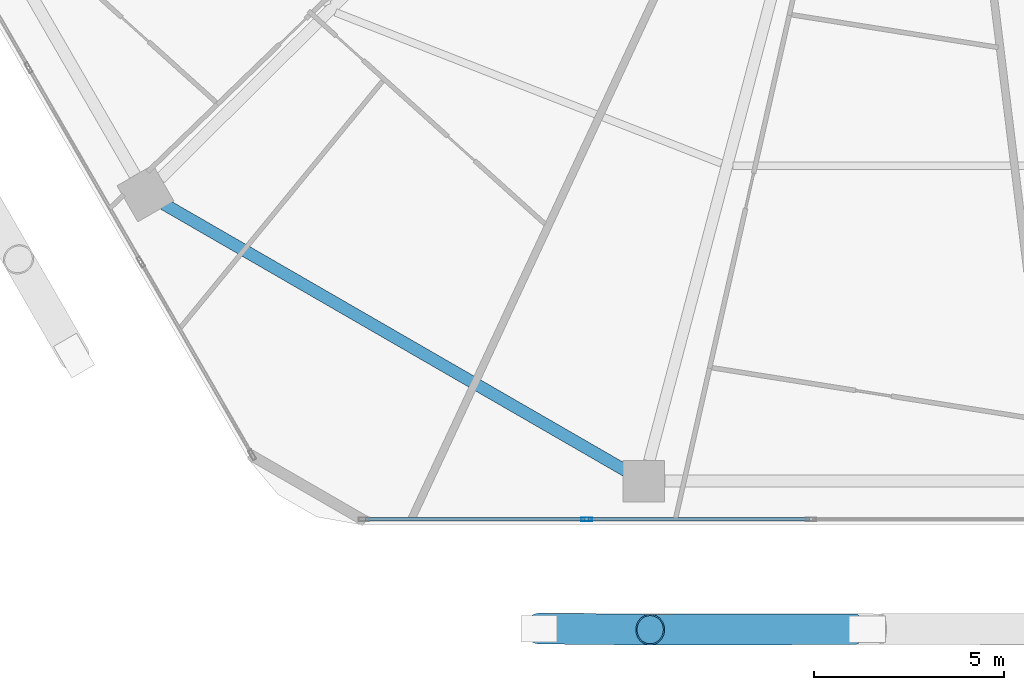
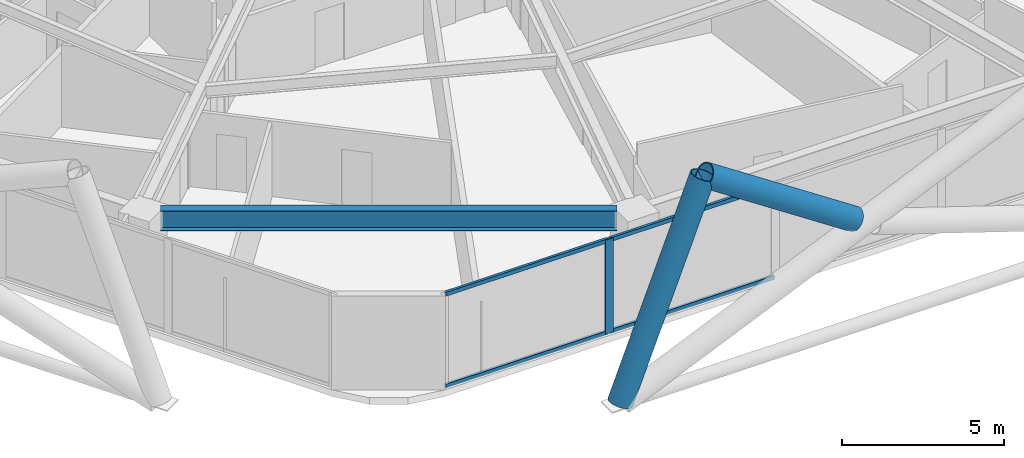
# One storey, part 3 of 36: 7 members, 1 beam, 1 element without a shape of its own.
"""IFC4 building model written with IfcOpenShell, lengths in metres."""

import ifcopenshell
import ifcopenshell.guid

model = None  # the IFC model being written
_history = None  # IfcOwnerHistory: only IFC2X3 demands one
_inside = {}  # id of a spatial element -> (the spatial element, [elements in it])
_under = {}  # id of a project, library or spatial element -> (it, [spatial elements below it])
_declared = {}  # id of a project -> (the project, [libraries it declares])
_typed = {}  # id of a type object -> (the type object, [elements of that type])
_made_of = {}  # id of a material, layer set ... -> (it, [elements and type objects made of it])


def new_model(schema):
    """Start an empty IFC model of exactly this schema.

    Asked for "IFC4X3", IfcOpenShell would pick the latest addendum, in which some entities
    have other attributes; the version numbers below select the first issue.
    IFC2X3 requires an IfcOwnerHistory on every rooted entity: one is made here for all.
    """
    global model, _history
    if schema == "IFC4X3":
        model = ifcopenshell.file(schema_version=(4, 3, 0, 0))
    else:
        model = ifcopenshell.file(schema=schema)
    _inside.clear()
    _under.clear()
    _declared.clear()
    _typed.clear()
    _made_of.clear()
    _history = None
    if model.schema == "IFC2X3":
        org = make("IfcOrganization", Name="unknown")
        user = make(
            "IfcPersonAndOrganization",
            ThePerson=make("IfcPerson", FamilyName="unknown"),
            TheOrganization=org,
        )
        app = make(
            "IfcApplication",
            ApplicationDeveloper=org,
            Version="unknown",
            ApplicationFullName="unknown",
            ApplicationIdentifier="unknown",
        )
        _history = make(
            "IfcOwnerHistory",
            OwningUser=user,
            OwningApplication=app,
            ChangeAction="ADDED",
            CreationDate=0,
        )
    return model


def make(cls, **values):
    """One entity of the class cls with the attributes given. An attribute that is None is left unset."""
    return model.create_entity(
        cls, **{name: value for name, value in values.items() if value is not None}
    )


def rooted(cls, **values):
    """An entity with a GlobalId (a new one), such as an element, a storey or a relation."""
    return make(cls, GlobalId=ifcopenshell.guid.new(), OwnerHistory=_history, **values)


def si_unit(unit_type, name, prefix=None):
    """IfcSIUnit, for example si_unit("LENGTHUNIT", "METRE", prefix="MILLI")."""
    return make("IfcSIUnit", UnitType=unit_type, Prefix=prefix, Name=name)


def assignment(units):
    """IfcUnitAssignment: the units of a project."""
    return None if units is None else make("IfcUnitAssignment", Units=units)


def point(xyz):
    """IfcCartesianPoint."""
    return None if xyz is None else make("IfcCartesianPoint", Coordinates=xyz)


def direction(xyz):
    """IfcDirection."""
    return None if xyz is None else make("IfcDirection", DirectionRatios=xyz)


def frame(location, z_axis=None, x_axis=None):
    """IfcAxis2Placement3D, a coordinate frame: its origin and axes. An axis left out is left unset."""
    return make(
        "IfcAxis2Placement3D",
        Location=point(location),
        Axis=direction(z_axis),
        RefDirection=direction(x_axis),
    )


def frame_2d(location, x_axis=None):
    """IfcAxis2Placement2D, a coordinate frame in the plane: its origin and x axis."""
    return make(
        "IfcAxis2Placement2D", Location=point(location), RefDirection=direction(x_axis)
    )


def origin():
    """The frame at (0, 0, 0) with its axes left unset."""
    return frame((0.0, 0.0, 0.0))


def origin_2d():
    """The frame at (0, 0) in the plane with its x axis left unset."""
    return frame_2d((0.0, 0.0))


def place(relative_to, where):
    """IfcLocalPlacement: puts the frame where relative to a parent placement (None: the world)."""
    return make(
        "IfcLocalPlacement", PlacementRelTo=relative_to, RelativePlacement=where
    )


def context(
    kind, dimensions, precision=None, world=None, true_north=None, identifier=None
):
    """IfcGeometricRepresentationContext, for example the 3D "Model" context."""
    return make(
        "IfcGeometricRepresentationContext",
        ContextIdentifier=identifier,
        ContextType=kind,
        CoordinateSpaceDimension=dimensions,
        Precision=precision,
        WorldCoordinateSystem=world,
        TrueNorth=true_north,
    )


def subcontext(parent, identifier, kind, view, scale=None):
    """IfcGeometricRepresentationSubContext, for example "Body" below "Model"."""
    return make(
        "IfcGeometricRepresentationSubContext",
        ContextIdentifier=identifier,
        ContextType=kind,
        ParentContext=parent,
        TargetScale=scale,
        TargetView=view,
    )


def project(units=None, contexts=None):
    """IfcProject with its units and contexts."""
    return rooted(
        "IfcProject",
        Name="project",
        RepresentationContexts=contexts,
        UnitsInContext=assignment(units),
    )


def spatial(cls, under=None, at=None, **own):
    """A site, building, storey or space (cls), placed at a placement, below another one or the project."""
    s = rooted(cls, ObjectPlacement=at, **own)
    if under is not None:
        _under.setdefault(under.id(), (under, []))[1].append(s)
    return s


def profile(cls, at=None, kind="AREA", **sizes):
    """A parametric profile (cls). Its sizes go by their IFC names, for example OverallWidth=200.0."""
    return make(cls, ProfileType=kind, Position=at, **sizes)


def hollow_rectangle(**sizes):
    """IfcRectangleHollowProfileDef."""
    return profile("IfcRectangleHollowProfileDef", **sizes)


def hollow_circle(**sizes):
    """IfcCircleHollowProfileDef."""
    return profile("IfcCircleHollowProfileDef", **sizes)


def i_section(**sizes):
    """IfcIShapeProfileDef."""
    return profile("IfcIShapeProfileDef", **sizes)


def extrude(swept, where, along, depth):
    """IfcExtrudedAreaSolid: the profile swept, set in the frame where, extruded along a direction by depth."""
    return make(
        "IfcExtrudedAreaSolid",
        SweptArea=swept,
        Position=where,
        ExtrudedDirection=direction(along),
        Depth=depth,
    )


def shape(context_of_items, identifier, shape_type, items):
    """IfcShapeRepresentation: the items that make up one representation, for example the "Body"."""
    return make(
        "IfcShapeRepresentation",
        ContextOfItems=context_of_items,
        RepresentationIdentifier=identifier,
        RepresentationType=shape_type,
        Items=items,
    )


def material(Name=None, Category=None):
    """IfcMaterial."""
    return make("IfcMaterial", Name=Name, Category=Category)


def material_profile(
    of_material, cross_section, Name=None, Category=None, Priority=None
):
    """IfcMaterialProfile: a cross section and its material."""
    return make(
        "IfcMaterialProfile",
        Name=Name,
        Material=of_material,
        Profile=cross_section,
        Priority=Priority,
        Category=Category,
    )


def profile_set(profiles, Name=None, composite=None):
    """IfcMaterialProfileSet."""
    return make(
        "IfcMaterialProfileSet",
        Name=Name,
        MaterialProfiles=profiles,
        CompositeProfile=composite,
    )


def made_of(thing, what):
    """Note that an element or type object is made of a material, layer set ...; save() writes the relation."""
    if what is not None:
        _made_of.setdefault(what.id(), (what, []))[1].append(thing)
    return thing


def type_object(cls, material=None, **own):
    """A type object (cls), such as IfcWallType, which elements share."""
    return made_of(rooted(cls, **own), material)


def element(
    cls,
    number,
    at=None,
    inside=None,
    cuts=None,
    type_object=None,
    material=None,
    context=None,
    identifier="Body",
    shape_type=None,
    held_by="IfcProductDefinitionShape",
    body=None,
    shapes=None,
    **own,
):
    """One element of the class cls, such as IfcWall. Its Tag is "e" and its number.

    at: its placement. inside: the storey or other place that contains it. cuts: it is an
    opening in that element (IfcRelVoidsElement). A single representation is given by context,
    identifier, shape_type and body (its items); several are given by shapes. held_by: the class
    of the entity that holds the representations. save() writes the other relations.
    """
    e = rooted(cls, Tag="e%d" % number, ObjectPlacement=at, **own)
    if body is not None:
        shapes = [shape(context, identifier, shape_type, body)]
    if shapes is not None:
        e.Representation = make(held_by, Representations=shapes)
    if inside is not None:
        _inside.setdefault(inside.id(), (inside, []))[1].append(e)
    if cuts is not None:
        rooted(
            "IfcRelVoidsElement", RelatingBuildingElement=cuts, RelatedOpeningElement=e
        )
    if type_object is not None:
        _typed.setdefault(type_object.id(), (type_object, []))[1].append(e)
    return made_of(e, material)


def aggregate(whole, parts):
    """IfcRelAggregates: a whole, such as a stair, and the parts it consists of."""
    return rooted("IfcRelAggregates", RelatingObject=whole, RelatedObjects=parts)


def save(model, path):
    """Write the relations noted so far, then the file.

    IfcRelAggregates (storeys below a building ...), IfcRelContainedInSpatialStructure (elements
    in a storey), IfcRelDefinesByType, IfcRelAssociatesMaterial and IfcRelDeclares: one each for
    every whole, place, type object, material and project.
    """
    for whole, parts in _under.values():
        aggregate(whole, parts)
    for where, things in _inside.values():
        rooted(
            "IfcRelContainedInSpatialStructure",
            RelatedElements=things,
            RelatingStructure=where,
        )
    for kind, things in _typed.values():
        rooted("IfcRelDefinesByType", RelatedObjects=things, RelatingType=kind)
    for what, things in _made_of.values():
        rooted("IfcRelAssociatesMaterial", RelatedObjects=things, RelatingMaterial=what)
    for by, libraries in _declared.values():
        rooted("IfcRelDeclares", RelatingContext=by, RelatedDefinitions=libraries)
    model.write(path)


model = new_model("IFC4")

# Units and contexts
model_context = context("Model", 3, precision=1e-05, world=origin(), true_north=direction((0.0, 1.0)))
body_context = subcontext(model_context, "Body", "Model", "MODEL_VIEW")
ifc_project = project(units=[si_unit("LENGTHUNIT", "METRE"), si_unit("AREAUNIT", "SQUARE_METRE"), si_unit("VOLUMEUNIT", "CUBIC_METRE"), si_unit("PLANEANGLEUNIT", "RADIAN"), si_unit("MASSUNIT", "GRAM", prefix="KILO")], contexts=[model_context])

# Site, building, storey
site_placement = place(None, origin())
site = spatial("IfcSite", under=ifc_project, at=site_placement, CompositionType="ELEMENT")
building_placement = place(site_placement, origin())
building = spatial("IfcBuilding", under=site, at=building_placement, Name="Zuhravey Tower", CompositionType="ELEMENT")
storey_placement = place(building_placement, frame((0.0, 0.0, 107.60009765625)))
storey = spatial("IfcBuildingStorey", under=building, at=storey_placement, Name="L26", CompositionType="ELEMENT", Elevation=107.60009765625)

# Curtain wall, members
ifc_material_1 = material(Name="Thermally broken anodised aluminium", Category="aluminium")
curtain_wall_type = type_object("IfcCurtainWallType", Name="Zone 1-2 Residential Curtain Wall CW3", PredefinedType="NOTDEFINED", material=ifc_material_1)
curtain_wall_placement = place(storey_placement, origin())
curtain_wall = element("IfcCurtainWall", 1, at=curtain_wall_placement, inside=storey, type_object=curtain_wall_type, Name="L26 CW3 CW-L26-F5-1", PredefinedType="NOTDEFINED")
ifc_material_2 = material(Name="Anodised aluminium", Category="aluminium")
ifc_material_profile_1 = material_profile(ifc_material_2, hollow_rectangle(XDim=0.090087890625, YDim=0.284912109375, WallThickness=0.0048828125, at=origin_2d()), Name="ALU-RHS-90x285x5")
ifc_profile_set_1 = profile_set([ifc_material_profile_1], Name="Anodised aluminium")
member_type_1 = type_object("IfcMemberType", Name="Curtain-Wall Mullion 90x180", PredefinedType="MULLION", material=ifc_profile_set_1)
member_1_placement = place(storey_placement, frame((27.120361328125, 3.04150390625, 0.0), z_axis=(0.0, 0.0, 1.0), x_axis=(0.0, -1.0, 0.0)))
member_1 = element("IfcMember", 2, at=member_1_placement, type_object=member_type_1, Name="CW3 mullion 5", PredefinedType="MULLION", context=body_context, shape_type="SweptSolid", body=[
    extrude(hollow_rectangle(XDim=0.090087890625, YDim=0.284912109375, WallThickness=0.0048828125, at=origin_2d()), origin(), (0.0, 0.0, 1.0), 3.5498046875),
])
ifc_material_profile_2 = material_profile(ifc_material_2, hollow_rectangle(XDim=0.090087890625, YDim=0.14990234375, WallThickness=0.0048828125, at=origin_2d()), Name="ALU-RHS-90x150x5")
ifc_profile_set_2 = profile_set([ifc_material_profile_2], Name="Anodised aluminium")
member_type_2 = type_object("IfcMemberType", Name="Curtain-Wall Transom 90x150", PredefinedType="USERDEFINED", material=ifc_profile_set_2)
member_2_placement = place(storey_placement, frame((32.9951171875, 3.04150390625, 0.044921875), z_axis=(-1.0, 0.0, 0.0), x_axis=(0.0, -1.0, 0.0)))
member_2 = element("IfcMember", 3, at=member_2_placement, type_object=member_type_2, Name="CW3 transom 4.1", ObjectType="TRANSOM", PredefinedType="USERDEFINED", context=body_context, shape_type="SweptSolid", body=[
    extrude(hollow_rectangle(XDim=0.090087890625, YDim=0.14990234375, WallThickness=0.0048828125, at=origin_2d()), origin(), (0.0, 0.0, 1.0), 5.829833984375),
])
member_3_placement = place(storey_placement, frame((32.9951171875, 3.04150390625, 3.5048828125), z_axis=(-1.0, 0.0, 0.0), x_axis=(0.0, -1.0, 0.0)))
member_3 = element("IfcMember", 4, at=member_3_placement, type_object=member_type_2, Name="CW3 transom 4.2", ObjectType="TRANSOM", PredefinedType="USERDEFINED", context=body_context, shape_type="SweptSolid", body=[
    extrude(hollow_rectangle(XDim=0.090087890625, YDim=0.14990234375, WallThickness=0.0048828125, at=origin_2d()), origin(), (0.0, 0.0, 1.0), 5.829833984375),
])
member_4_placement = place(storey_placement, frame((27.0751953125, 3.04150390625, 0.044921875), z_axis=(-1.0, 0.0, 0.0), x_axis=(0.0, -1.0, 0.0)))
member_4 = element("IfcMember", 5, at=member_4_placement, type_object=member_type_2, Name="CW3 transom 5.1", ObjectType="TRANSOM", PredefinedType="USERDEFINED", context=body_context, shape_type="SweptSolid", body=[
    extrude(hollow_rectangle(XDim=0.090087890625, YDim=0.14990234375, WallThickness=0.0048828125, at=origin_2d()), origin(), (0.0, 0.0, 1.0), 5.78466796875),
])
member_5_placement = place(storey_placement, frame((27.0751953125, 3.04150390625, 3.5048828125), z_axis=(-1.0, 0.0, 0.0), x_axis=(0.0, -1.0, 0.0)))
member_5 = element("IfcMember", 6, at=member_5_placement, type_object=member_type_2, Name="CW3 transom 5.2", ObjectType="TRANSOM", PredefinedType="USERDEFINED", context=body_context, shape_type="SweptSolid", body=[
    extrude(hollow_rectangle(XDim=0.090087890625, YDim=0.14990234375, WallThickness=0.0048828125, at=origin_2d()), origin(), (0.0, 0.0, 1.0), 5.78466796875),
])
aggregate(curtain_wall, [member_1, member_2, member_3, member_4, member_5])

# Members
ifc_material_3 = material(Name="Steel SM460", Category="steel")
ifc_material_profile_3 = material_profile(ifc_material_3, hollow_circle(Radius=0.406494140625, WallThickness=0.035888671875, at=origin_2d()), Name="CHS-812.8x36")
ifc_profile_set_3 = profile_set([ifc_material_profile_3], Name="Steel SM460")
member_type_3 = type_object("IfcMemberType", Name="Exoskeleton Zone 1 Diagrid CHS813x36", PredefinedType="BRACE", material=ifc_profile_set_3)
member_6_placement = place(storey_placement, frame((25.871826171875, 0.161376953125, -0.442138671875), z_axis=(0.361079571165, -0.003675876809, 0.932527764314), x_axis=(0.010179712835, 0.999948185381, 0.0)))
element("IfcMember", 7, at=member_6_placement, inside=storey, type_object=member_type_3, Name="L26 Face 5 Diagrid Brace 1", PredefinedType="BRACE", context=body_context, shape_type="SweptSolid", body=[
    extrude(hollow_circle(Radius=0.406494140625, WallThickness=0.035888671875, at=origin_2d()), origin(), (0.0, 0.0, 1.0), 8.102783203125),
])
member_7_placement = place(storey_placement, frame((34.1982421875, 0.145751953125, 3.55517578125), z_axis=(-0.833035984248, -0.002206314767, 0.553214407914), x_axis=(0.002648513474, -0.999996492682, 0.0)))
element("IfcMember", 8, at=member_7_placement, inside=storey, type_object=member_type_3, Name="L26 Face 5 Split Diagrid Brace 3B", PredefinedType="BRACE", context=body_context, shape_type="SweptSolid", body=[
    extrude(hollow_circle(Radius=0.406494140625, WallThickness=0.035888671875, at=origin_2d()), origin(), (0.0, 0.0, 1.0), 6.41796875),
])

# Beam
ifc_material_4 = material(Name="Steel SM355", Category="steel")
ifc_material_profile_4 = material_profile(ifc_material_4, i_section(OverallWidth=0.320068359375, OverallDepth=0.75, WebThickness=0.013916015625, FlangeThickness=0.02490234375, at=origin_2d()), Name="H-750x320x14x25")
ifc_profile_set_4 = profile_set([ifc_material_profile_4], Name="Steel SM355")
beam_type = type_object("IfcBeamType", Name="Perimeter Ring Beam H750x320", PredefinedType="BEAM", material=ifc_profile_set_4)
beam_placement = place(storey_placement, frame((15.9599609375, 11.36669921875, 3.1748046875), z_axis=(0.866017786538, -0.500013193225, 0.0), x_axis=(0.500013193225, 0.866017786538, 0.0)))
element("IfcBeam", 9, at=beam_placement, inside=storey, type_object=beam_type, Name="L26 PB1 BM-L26-PB-08", PredefinedType="BEAM", context=body_context, shape_type="SweptSolid", body=[
    extrude(i_section(OverallWidth=0.320068359375, OverallDepth=0.75, WebThickness=0.013916015625, FlangeThickness=0.02490234375, at=origin_2d()), origin(), (0.0, 0.0, 1.0), 14.0771484375),
])

save(model, "model.ifc")
